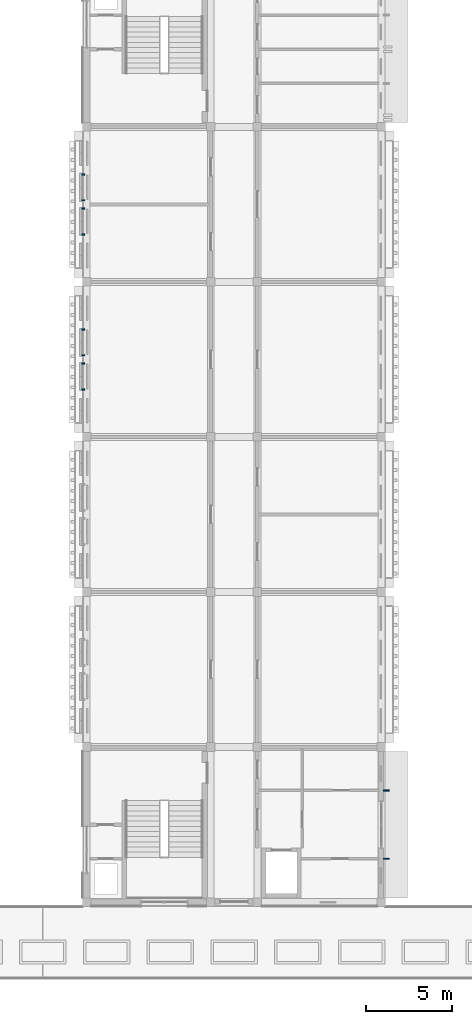
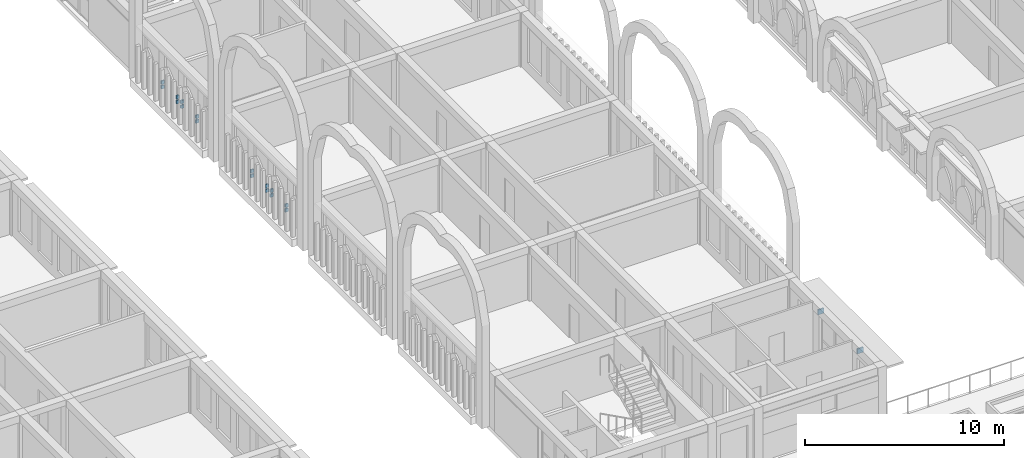
# One storey, part 65 of 82: 18 discrete accessories.
"""IFC4 building model written with IfcOpenShell, lengths in metres."""

from ifc_helpers import new_model, si_unit, direction, frame, origin, origin_2d, place, context, subcontext, project, spatial, rectangle, extrude, material, type_object, element, save


model = new_model("IFC4")

# Units and contexts
model_context = context("Model", 3, precision=1e-05, world=origin(), true_north=direction((0.0, 1.0)))
body_context = subcontext(model_context, "Body", "Model", "MODEL_VIEW")
ifc_project = project(units=[si_unit("LENGTHUNIT", "METRE"), si_unit("AREAUNIT", "SQUARE_METRE"), si_unit("VOLUMEUNIT", "CUBIC_METRE"), si_unit("PLANEANGLEUNIT", "RADIAN"), si_unit("MASSUNIT", "GRAM", prefix="KILO")], contexts=[model_context])

# Site, building, storey
site_placement = place(None, origin())
site = spatial("IfcSite", under=ifc_project, at=site_placement, CompositionType="ELEMENT")
building_placement = place(site_placement, origin())
building = spatial("IfcBuilding", under=site, at=building_placement, Name="Elbe Cascade School", CompositionType="ELEMENT")
storey_placement = place(building_placement, frame((0.0, 0.0, 4.5)))
storey = spatial("IfcBuildingStorey", under=building, at=storey_placement, Name="L01", CompositionType="ELEMENT", Elevation=4.5)

# Discrete accessories
ifc_material = material(Name="Steel S355J2, hot-dip galvanised", Category="steel")
discrete_accessory_type = type_object("IfcDiscreteAccessoryType", Name="Bars envelope Bracket, galvanised steel", PredefinedType="BRACKET", material=ifc_material)
for number, where, z_axis, x_axis, name in (
    (1, (127.989990234375, 35.760009765625, 0.75), (0.0, 0.0, 1.0), (0.0, 1.0, 0.0), "Bracket AC7 jali.w.4.br2ll"),
    (2, (127.989990234375, 35.760009765625, 1.0400390625), (0.0, 0.0, 1.0), (0.0, 1.0, 0.0), "Bracket AC7 jali.w.4.br2lu"),
    (3, (127.989990234375, 37.260009765625, 0.75), (0.0, 0.0, 1.0), (0.0, 1.0, 0.0), "Bracket AC7 jali.w.4.br2rl"),
    (4, (127.989990234375, 37.260009765625, 1.0400390625), (0.0, 0.0, 1.0), (0.0, 1.0, 0.0), "Bracket AC7 jali.w.4.br2ru"),
    (5, (127.989990234375, 37.739990234375, 0.75), (0.0, 0.0, 1.0), (0.0, 1.0, 0.0), "Bracket AC7 jali.w.4.br3ll"),
    (6, (127.989990234375, 37.739990234375, 1.0400390625), (0.0, 0.0, 1.0), (0.0, 1.0, 0.0), "Bracket AC7 jali.w.4.br3lu"),
    (7, (127.989990234375, 39.239990234375, 0.75), (0.0, 0.0, 1.0), (0.0, 1.0, 0.0), "Bracket AC7 jali.w.4.br3rl"),
    (8, (127.989990234375, 39.239990234375, 1.0400390625), (0.0, 0.0, 1.0), (0.0, 1.0, 0.0), "Bracket AC7 jali.w.4.br3ru"),
    (9, (127.989990234375, 44.760009765625, 0.75), (0.0, 0.0, 1.0), (0.0, 1.0, 0.0), "Bracket AC7 jali.w.5.br2ll"),
    (10, (127.989990234375, 44.760009765625, 1.0400390625), (0.0, 0.0, 1.0), (0.0, 1.0, 0.0), "Bracket AC7 jali.w.5.br2lu"),
    (11, (127.989990234375, 46.260009765625, 0.75), (0.0, 0.0, 1.0), (0.0, 1.0, 0.0), "Bracket AC7 jali.w.5.br2rl"),
    (12, (127.989990234375, 46.260009765625, 1.0400390625), (0.0, 0.0, 1.0), (0.0, 1.0, 0.0), "Bracket AC7 jali.w.5.br2ru"),
    (13, (127.989990234375, 46.739990234375, 0.75), (0.0, 0.0, 1.0), (0.0, 1.0, 0.0), "Bracket AC7 jali.w.5.br3ll"),
    (14, (127.989990234375, 46.739990234375, 1.0400390625), (0.0, 0.0, 1.0), (0.0, 1.0, 0.0), "Bracket AC7 jali.w.5.br3lu"),
    (15, (127.989990234375, 48.239990234375, 0.75), (0.0, 0.0, 1.0), (0.0, 1.0, 0.0), "Bracket AC7 jali.w.5.br3rl"),
    (16, (127.989990234375, 48.239990234375, 1.0400390625), (0.0, 0.0, 1.0), (0.0, 1.0, 0.0), "Bracket AC7 jali.w.5.br3ru"),
):
    element("IfcDiscreteAccessory", number, at=place(storey_placement, frame(where, z_axis=z_axis, x_axis=x_axis)), inside=storey, type_object=discrete_accessory_type, Name=name, PredefinedType="BRACKET", context=body_context, shape_type="SweptSolid", body=[
        extrude(rectangle(XDim=0.080078125, YDim=0.179931640625, at=origin_2d()), origin(), (0.0, 0.0, 1.0), 0.199951171875),
    ])
for number, where, z_axis, x_axis, name in (
    (17, (145.594970703125, 8.52001953125, 2.43017578125), (0.0, 0.0, 1.0), (0.0, 1.0, 0.0), "Bracket AC7 eave.e.1.br1"),
    (18, (145.594970703125, 12.47998046875, 2.43017578125), (0.0, 0.0, 1.0), (0.0, 1.0, 0.0), "Bracket AC7 eave.e.1.br2"),
):
    element("IfcDiscreteAccessory", number, at=place(storey_placement, frame(where, z_axis=z_axis, x_axis=x_axis)), inside=storey, type_object=discrete_accessory_type, Name=name, PredefinedType="BRACKET", context=body_context, shape_type="SweptSolid", body=[
        extrude(rectangle(XDim=0.080078125, YDim=0.35009765625, at=origin_2d()), origin(), (0.0, 0.0, 1.0), 0.300048828125),
    ])

save(model, "model.ifc")
